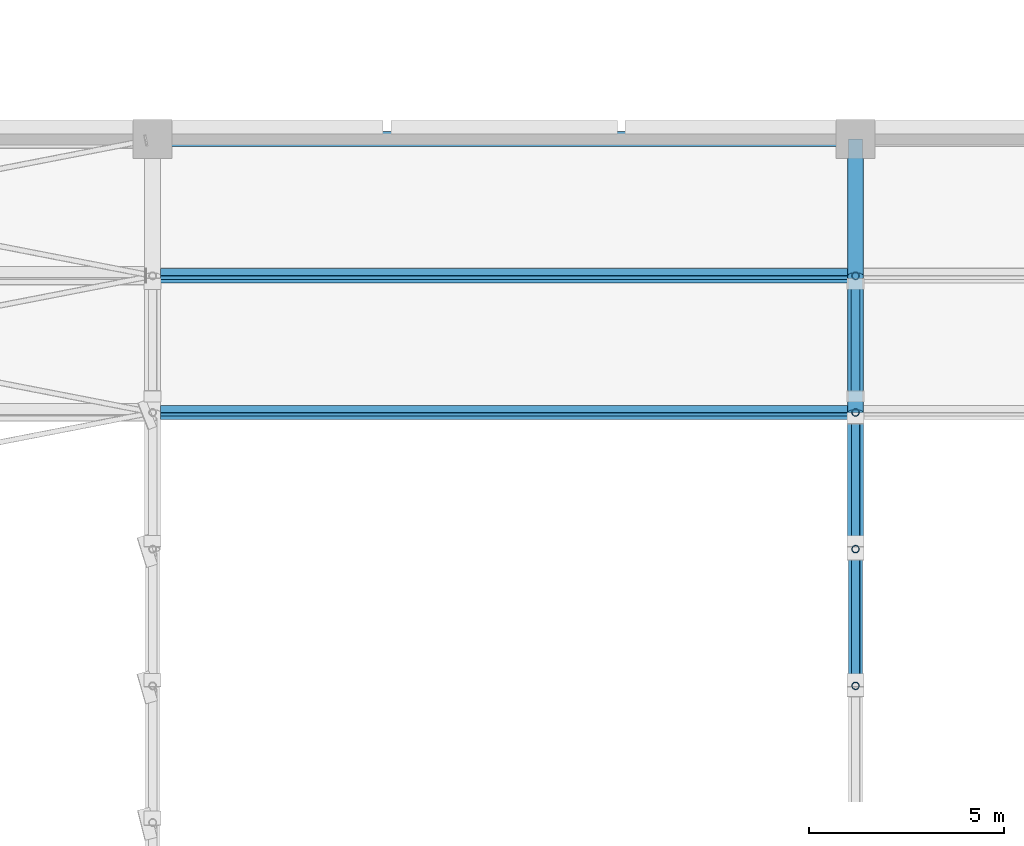
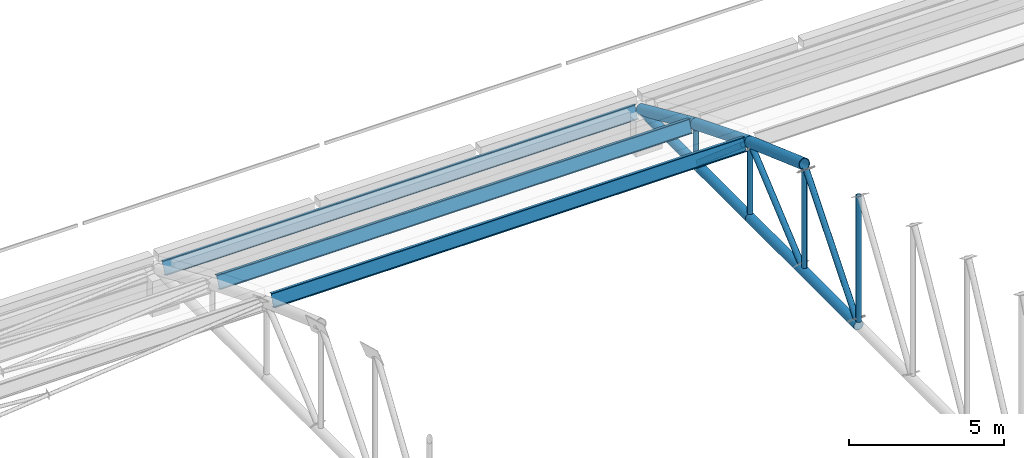
# One storey, part 68 of 196: 15 members.
"""IFC4 building model written with IfcOpenShell, lengths in metres."""

from ifc_helpers import new_model, si_unit, direction, frame, origin, origin_2d, place, context, subcontext, project, spatial, hollow_circle, i_section, extrude, material, material_profile, profile_set, type_object, element, save


model = new_model("IFC4")

# Units and contexts
model_context = context("Model", 3, precision=1e-05, world=origin(), true_north=direction((0.0, 1.0)))
body_context = subcontext(model_context, "Body", "Model", "MODEL_VIEW")
ifc_project = project(units=[si_unit("LENGTHUNIT", "METRE"), si_unit("AREAUNIT", "SQUARE_METRE"), si_unit("VOLUMEUNIT", "CUBIC_METRE"), si_unit("PLANEANGLEUNIT", "RADIAN"), si_unit("MASSUNIT", "GRAM", prefix="KILO")], contexts=[model_context])

# Site, building, storey
site_placement = place(None, origin())
site = spatial("IfcSite", under=ifc_project, at=site_placement, CompositionType="ELEMENT")
building_placement = place(site_placement, origin())
building = spatial("IfcBuilding", under=site, at=building_placement, Name="Okhra Congress Centre", CompositionType="ELEMENT")
storey_placement = place(building_placement, frame((0.0, 0.0, 12.0)))
storey = spatial("IfcBuildingStorey", under=building, at=storey_placement, Name="L02", CompositionType="ELEMENT", Elevation=12.0)

# Members
ifc_material_1 = material(Name="Steel S355J2H", Category="steel")
ifc_material_profile_1 = material_profile(ifc_material_1, hollow_circle(Radius=0.096923828125, WallThickness=0.012451171875, at=origin_2d()), Name="CHS 193.7x12.5")
ifc_profile_set_1 = profile_set([ifc_material_profile_1], Name="Steel S355J2H")
member_type_1 = type_object("IfcMemberType", Name="CHS 193.7x12.5", PredefinedType="POST", material=ifc_profile_set_1)
member_1_placement = place(storey_placement, frame((64.0, 202.0, 1.577880859375), z_axis=(0.0, 0.0, 1.0), x_axis=(1.0, 0.0, 0.0)))
element("IfcMember", 1, at=member_1_placement, inside=storey, type_object=member_type_1, Name="EH.MEM.L02.T3-VER-20", PredefinedType="POST", context=body_context, shape_type="SweptSolid", body=[
    extrude(hollow_circle(Radius=0.096923828125, WallThickness=0.012451171875, at=origin_2d()), origin(), (0.0, 0.0, 1.0), 4.947998046875),
])
member_2_placement = place(storey_placement, frame((64.0, 205.5, 1.577880859375), z_axis=(0.0, 0.0, 1.0), x_axis=(1.0, 0.0, 0.0)))
element("IfcMember", 2, at=member_2_placement, inside=storey, type_object=member_type_1, Name="EH.MEM.L02.T3-VER-21", PredefinedType="POST", context=body_context, shape_type="SweptSolid", body=[
    extrude(hollow_circle(Radius=0.096923828125, WallThickness=0.012451171875, at=origin_2d()), origin(), (0.0, 0.0, 1.0), 3.836669921875),
])
member_3_placement = place(storey_placement, frame((64.0, 209.0, 1.577880859375), z_axis=(0.0, 0.0, 1.0), x_axis=(1.0, 0.0, 0.0)))
element("IfcMember", 3, at=member_3_placement, inside=storey, type_object=member_type_1, Name="EH.MEM.L02.T3-VER-22", PredefinedType="POST", context=body_context, shape_type="SweptSolid", body=[
    extrude(hollow_circle(Radius=0.096923828125, WallThickness=0.012451171875, at=origin_2d()), origin(), (0.0, 0.0, 1.0), 2.578857421875),
])
member_4_placement = place(storey_placement, frame((64.0, 212.5, 1.577880859375), z_axis=(0.0, 0.0, 1.0), x_axis=(1.0, 0.0, 0.0)))
element("IfcMember", 4, at=member_4_placement, inside=storey, type_object=member_type_1, Name="EH.MEM.L02.T3-VER-23", PredefinedType="POST", context=body_context, shape_type="SweptSolid", body=[
    extrude(hollow_circle(Radius=0.096923828125, WallThickness=0.012451171875, at=origin_2d()), origin(), (0.0, 0.0, 1.0), 1.168212890625),
])
ifc_material_profile_2 = material_profile(ifc_material_1, hollow_circle(Radius=0.109619140625, WallThickness=0.012451171875, at=origin_2d()), Name="CHS 219.1x12.5")
ifc_profile_set_2 = profile_set([ifc_material_profile_2], Name="Steel S355J2H")
member_type_2 = type_object("IfcMemberType", Name="CHS 219.1x12.5", PredefinedType="BRACE", material=ifc_profile_set_2)
member_5_placement = place(storey_placement, frame((64.0, 205.373779296875, 5.476318359375), z_axis=(0.0, -0.637599309049, -0.770368172435), x_axis=(1.0, 0.0, 0.0)))
element("IfcMember", 5, at=member_5_placement, inside=storey, type_object=member_type_2, Name="EH.MEM.L02.T3-DIA-20", PredefinedType="BRACE", context=body_context, shape_type="SweptSolid", body=[
    extrude(hollow_circle(Radius=0.109619140625, WallThickness=0.012451171875, at=origin_2d()), origin(), (0.0, 0.0, 1.0), 5.060546875),
])
member_6_placement = place(storey_placement, frame((64.0, 208.8388671875, 4.237060546875), z_axis=(0.0, -0.762061047132, -0.64750518179), x_axis=(1.0, 0.0, 0.0)))
element("IfcMember", 6, at=member_6_placement, inside=storey, type_object=member_type_2, Name="EH.MEM.L02.T3-DIA-21", PredefinedType="BRACE", context=body_context, shape_type="SweptSolid", body=[
    extrude(hollow_circle(Radius=0.109619140625, WallThickness=0.012451171875, at=origin_2d()), origin(), (0.0, 0.0, 1.0), 4.106689453125),
])
member_7_placement = place(storey_placement, frame((64.0, 209.42578125, 4.01220703125), z_axis=(0.0, 0.76205947483, -0.647507032257), x_axis=(-1.0, 0.0, 0.0)))
element("IfcMember", 7, at=member_7_placement, inside=storey, type_object=member_type_2, Name="EH.MEM.L02.T3-DIA-22", PredefinedType="BRACE", context=body_context, shape_type="SweptSolid", body=[
    extrude(hollow_circle(Radius=0.109619140625, WallThickness=0.012451171875, at=origin_2d()), origin(), (0.0, 0.0, 1.0), 3.759521484375),
])
ifc_material_profile_3 = material_profile(ifc_material_1, hollow_circle(Radius=0.177734375, WallThickness=0.01611328125, at=origin_2d()), Name="CHS 355.6x16.0")
ifc_profile_set_3 = profile_set([ifc_material_profile_3], Name="Steel S355J2H")
member_type_3 = type_object("IfcMemberType", Name="CHS 355.6x16.0", PredefinedType="CHORD", material=ifc_profile_set_3)
member_8_placement = place(storey_placement, frame((64.0, 202.0, 1.39990234375), z_axis=(0.0, 1.0, 0.0), x_axis=(-1.0, 0.0, 0.0)))
element("IfcMember", 8, at=member_8_placement, inside=storey, type_object=member_type_3, Name="EH.MEM.L02.T3-BOT-11", PredefinedType="CHORD", context=body_context, shape_type="SweptSolid", body=[
    extrude(hollow_circle(Radius=0.177734375, WallThickness=0.01611328125, at=origin_2d()), origin(), (0.0, 0.0, 1.0), 7.0),
])
ifc_material_profile_4 = material_profile(ifc_material_1, hollow_circle(Radius=0.177734375, WallThickness=0.02490234375, at=origin_2d()), Name="CHS 355.6x25.0")
ifc_profile_set_4 = profile_set([ifc_material_profile_4], Name="Steel S355J2H")
member_type_4 = type_object("IfcMemberType", Name="CHS 355.6x25.0", PredefinedType="CHORD", material=ifc_profile_set_4)
member_9_placement = place(storey_placement, frame((64.0, 209.0, 1.39990234375), z_axis=(0.0, 1.0, 0.0), x_axis=(-1.0, 0.0, 0.0)))
element("IfcMember", 9, at=member_9_placement, inside=storey, type_object=member_type_4, Name="EH.MEM.L02.T3-BOT-12", PredefinedType="CHORD", context=body_context, shape_type="SweptSolid", body=[
    extrude(hollow_circle(Radius=0.177734375, WallThickness=0.02490234375, at=origin_2d()), origin(), (0.0, 0.0, 1.0), 7.0),
])
ifc_material_profile_5 = material_profile(ifc_material_1, hollow_circle(Radius=0.203125, WallThickness=0.02490234375, at=origin_2d()), Name="CHS 406.4x25.0")
ifc_profile_set_5 = profile_set([ifc_material_profile_5], Name="Steel S355J2H")
member_type_5 = type_object("IfcMemberType", Name="CHS 406.4x25.0", PredefinedType="CHORD", material=ifc_profile_set_5)
member_10_placement = place(storey_placement, frame((64.0, 205.5, 5.629150390625), z_axis=(0.0, 0.941304373418, -0.337558997192), x_axis=(-1.0, 0.0, 0.0)))
element("IfcMember", 10, at=member_10_placement, inside=storey, type_object=member_type_5, Name="EH.MEM.L02.T3-TOP-22", PredefinedType="CHORD", context=body_context, shape_type="SweptSolid", body=[
    extrude(hollow_circle(Radius=0.203125, WallThickness=0.02490234375, at=origin_2d()), origin(), (0.0, 0.0, 1.0), 3.71826171875),
])
member_11_placement = place(storey_placement, frame((64.0, 209.0, 4.3740234375), z_axis=(0.0, 0.927814639871, -0.373041544658), x_axis=(-1.0, 0.0, 0.0)))
element("IfcMember", 11, at=member_11_placement, inside=storey, type_object=member_type_5, Name="EH.MEM.L02.T3-TOP-23", PredefinedType="CHORD", context=body_context, shape_type="SweptSolid", body=[
    extrude(hollow_circle(Radius=0.203125, WallThickness=0.02490234375, at=origin_2d()), origin(), (0.0, 0.0, 1.0), 3.772216796875),
])
member_12_placement = place(storey_placement, frame((64.0, 212.5, 2.966796875), z_axis=(0.0, 0.912710800597, -0.408606160591), x_axis=(-1.0, 0.0, 0.0)))
element("IfcMember", 12, at=member_12_placement, inside=storey, type_object=member_type_5, Name="EH.MEM.L02.T3-TOP-24", PredefinedType="CHORD", context=body_context, shape_type="SweptSolid", body=[
    extrude(hollow_circle(Radius=0.203125, WallThickness=0.02490234375, at=origin_2d()), origin(), (0.0, 0.0, 1.0), 3.834716796875),
])
ifc_material_2 = material(Name="Steel S355J2", Category="steel")
ifc_material_profile_6 = material_profile(ifc_material_2, i_section(OverallWidth=0.199951171875, OverallDepth=0.5, WebThickness=0.01025390625, FlangeThickness=0.01611328125, at=origin_2d()), Name="IPE 500")
ifc_profile_set_6 = profile_set([ifc_material_profile_6], Name="Steel S355J2")
member_type_6 = type_object("IfcMemberType", Name="IPE 500", PredefinedType="PURLIN", material=ifc_profile_set_6)
for number, where, z_axis, x_axis, name in (
    (13, (46.203125, 209.0, 4.3740234375), (1.0, 0.0, 0.0), (0.0, 0.934732963292, -0.355350935465), "EH.MEM.L02.PU2-23"),
    (14, (46.203125, 212.5, 2.966796875), (1.0, 0.0, 0.0), (0.0, 0.920437204489, -0.390890461118), "EH.MEM.L02.PU2-24"),
    (15, (46.203125, 216.0, 1.39990234375), (1.0, 0.0, 0.0), (0.0, 0.912721046606, -0.40858327313), "EH.MEM.L02.PU2-25"),
):
    element("IfcMember", number, at=place(storey_placement, frame(where, z_axis=z_axis, x_axis=x_axis)), inside=storey, type_object=member_type_6, Name=name, PredefinedType="PURLIN", context=body_context, shape_type="SweptSolid", body=[
        extrude(i_section(OverallWidth=0.199951171875, OverallDepth=0.5, WebThickness=0.01025390625, FlangeThickness=0.01611328125, at=origin_2d()), origin(), (0.0, 0.0, 1.0), 17.59375),
    ])

save(model, "model.ifc")
